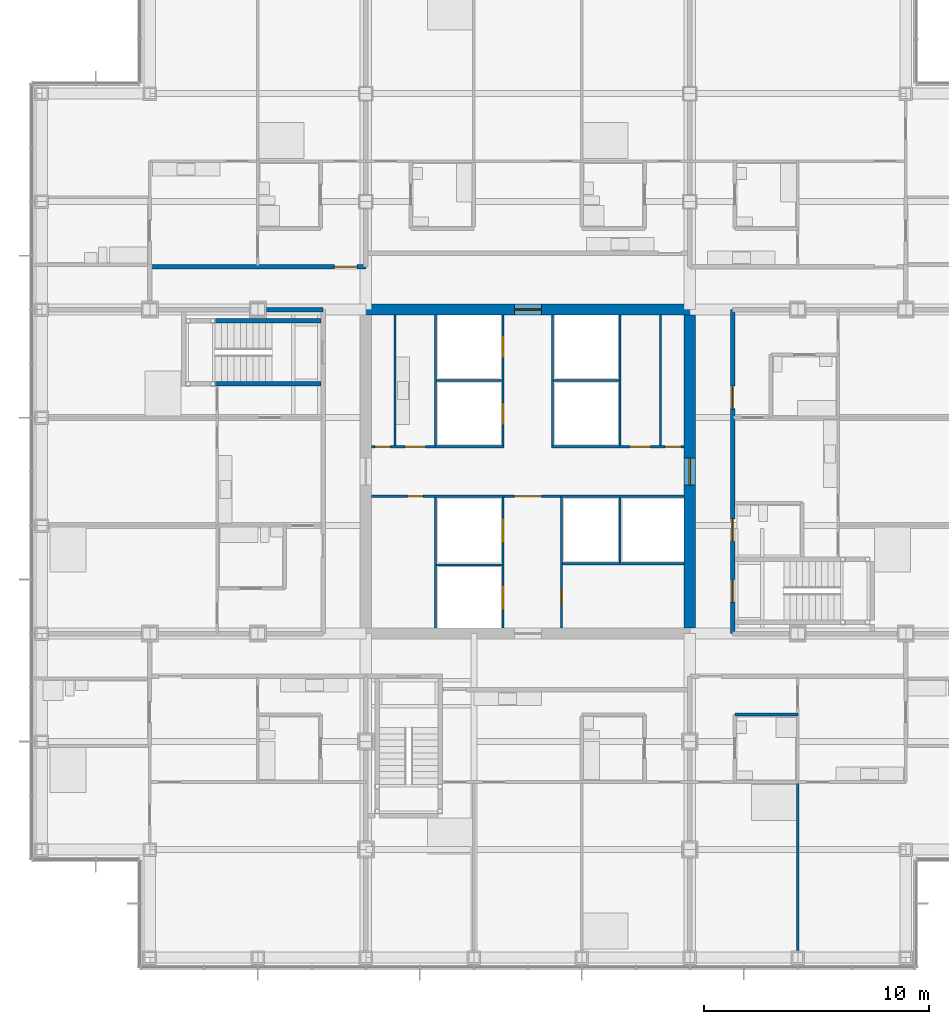
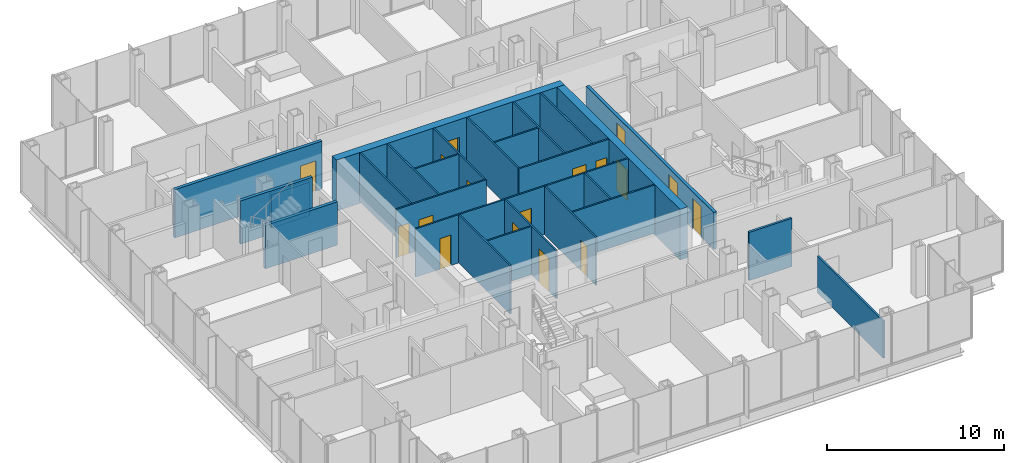
# One storey, part 15 of 21: 28 walls, 17 doors, 17 openings.
"""IFC4 building model written with IfcOpenShell, lengths in metres."""

from ifc_helpers import new_model, si_unit, direction, frame, frame_2d, origin, place, context, subcontext, project, spatial, rectangle, extrude, material, layer, layer_set, type_object, element, fill, save


model = new_model("IFC4")

# Units and contexts
model_context = context("Model", 3, precision=1e-05, world=origin(), true_north=direction((0.0, 1.0)))
body_context = subcontext(model_context, "Body", "Model", "MODEL_VIEW")
ifc_project = project(units=[si_unit("LENGTHUNIT", "METRE"), si_unit("AREAUNIT", "SQUARE_METRE"), si_unit("VOLUMEUNIT", "CUBIC_METRE"), si_unit("PLANEANGLEUNIT", "RADIAN"), si_unit("MASSUNIT", "GRAM", prefix="KILO")], contexts=[model_context])

# Site, building, storey
site_placement = place(None, origin())
site = spatial("IfcSite", under=ifc_project, at=site_placement, CompositionType="ELEMENT")
building_placement = place(site_placement, origin())
building = spatial("IfcBuilding", under=site, at=building_placement, Name="Kvirike Care Tower", CompositionType="ELEMENT")
storey_placement = place(building_placement, frame((0.0, 0.0, 65.5)))
storey = spatial("IfcBuildingStorey", under=building, at=storey_placement, Name="L17", CompositionType="ELEMENT", Elevation=65.5)

# Wall
ifc_material_1 = material(Name="Moisture-resistant board partition", Category="gypsum")
ifc_layer_1 = layer(ifc_material_1, 0.14990234375)
ifc_layer_set_1 = layer_set([ifc_layer_1], Name="BATHROOM WALL 150")
wall_type_1 = type_object("IfcWallType", Name="BATHROOM WALL 150", PredefinedType="PARTITIONING", material=ifc_layer_set_1)
wall_1_placement = place(storey_placement, frame((30.800048828125, 25.199951171875, 0.0), z_axis=(0.0, 0.0, 1.0), x_axis=(1.0, 0.0, 0.0)))
element("IfcWall", 1, at=wall_1_placement, inside=storey, type_object=wall_type_1, Name="Bathroom Wall 150 L17", PredefinedType="PARTITIONING", context=body_context, shape_type="SweptSolid", body=[
    extrude(rectangle(XDim=2.800048828125, YDim=0.14990234375, at=frame_2d((1.39990234375, 0.0))), origin(), (0.0, 0.0, 1.0), 3.330078125),
])

# Wall, opening, door
ifc_material_2 = material(Name="Concrete C60/75", Category="concrete")
ifc_layer_2 = layer(ifc_material_2, 0.5)
ifc_layer_set_2 = layer_set([ifc_layer_2], Name="CORE WALL 500 C60-75")
wall_type_2 = type_object("IfcWallType", Name="CORE WALL 500 C60-75", PredefinedType="SHEAR", material=ifc_layer_set_2)
wall_2_placement = place(storey_placement, frame((29.050048828125, 43.199951171875, -0.169921875), z_axis=(0.0, 0.0, 1.0), x_axis=(-1.0, 0.0, 0.0)))
wall_2 = element("IfcWall", 2, at=wall_2_placement, inside=storey, type_object=wall_type_2, Name="Core wall N L17", PredefinedType="SHEAR", context=body_context, shape_type="SweptSolid", body=[
    extrude(rectangle(XDim=14.900146484375, YDim=0.5, at=frame_2d((7.4501953125, 0.0))), origin(), (0.0, 0.0, 1.0), 3.5),
])
opening_1_placement = place(wall_2_placement, frame((6.85009765625, 0.0, 0.169921875)))
opening_1 = element("IfcOpeningElement", 3, at=opening_1_placement, cuts=wall_2, Name="Opening 17-067", PredefinedType="OPENING", context=body_context, shape_type="SweptSolid", body=[
    extrude(rectangle(XDim=1.199951171875, YDim=2.10009765625, at=frame_2d((0.60009765625, 1.050048828125))), frame((0.0, 0.260498046875, 0.0), z_axis=(0.0, -1.0, 0.0), x_axis=(1.0, 0.0, 0.0)), (0.0, 0.0, 1.0), 0.52099609375),
])
ifc_material_3 = material(Name="Timber door set", Category="wood")
door_type_1 = type_object("IfcDoorType", Name="CORE DOOR 1200", OperationType="SINGLE_SWING_LEFT", PredefinedType="DOOR", material=ifc_material_3)
door_1_placement = place(opening_1_placement, origin())
door_1 = element("IfcDoor", 4, at=door_1_placement, inside=storey, type_object=door_type_1, Name="Core door N L17", OperationType="SINGLE_SWING_LEFT", OverallHeight=2.10009765625, OverallWidth=1.199951171875, PredefinedType="DOOR", context=body_context, shape_type="SweptSolid", body=[
    extrude(rectangle(XDim=1.199951171875, YDim=2.10009765625, at=frame_2d((0.60009765625, 1.050048828125))), frame((0.0, 0.02685546875, 0.0), z_axis=(0.0, -1.0, 0.0), x_axis=(1.0, 0.0, 0.0)), (0.0, 0.0, 1.0), 0.053955078125),
])
fill(opening_1, door_1)

wall_3_placement = place(storey_placement, frame((28.800048828125, 29.050048828125, -0.169921875), z_axis=(0.0, 0.0, 1.0), x_axis=(0.0, 1.0, 0.0)))
wall_3 = element("IfcWall", 5, at=wall_3_placement, inside=storey, type_object=wall_type_2, Name="Core wall E L17", PredefinedType="SHEAR", context=body_context, shape_type="SweptSolid", body=[
    extrude(rectangle(XDim=13.89990234375, YDim=0.5, at=frame_2d((6.949951171875, 0.0))), origin(), (0.0, 0.0, 1.0), 3.5),
])
opening_2_placement = place(wall_3_placement, frame((6.35009765625, 0.0, 0.169921875)))
opening_2 = element("IfcOpeningElement", 6, at=opening_2_placement, cuts=wall_3, Name="Opening 17-066", PredefinedType="OPENING", context=body_context, shape_type="SweptSolid", body=[
    extrude(rectangle(XDim=1.199951171875, YDim=2.10009765625, at=frame_2d((0.60009765625, 1.050048828125))), frame((0.0, 0.260498046875, 0.0), z_axis=(0.0, -1.0, 0.0), x_axis=(1.0, 0.0, 0.0)), (0.0, 0.0, 1.0), 0.52099609375),
])
door_2_placement = place(opening_2_placement, origin())
door_2 = element("IfcDoor", 7, at=door_2_placement, inside=storey, type_object=door_type_1, Name="Core door E L17", OperationType="SINGLE_SWING_LEFT", OverallHeight=2.10009765625, OverallWidth=1.199951171875, PredefinedType="DOOR", context=body_context, shape_type="SweptSolid", body=[
    extrude(rectangle(XDim=1.199951171875, YDim=2.10009765625, at=frame_2d((0.60009765625, 1.050048828125))), frame((0.0, 0.02685546875, 0.0), z_axis=(0.0, -1.0, 0.0), x_axis=(1.0, 0.0, 0.0)), (0.0, 0.0, 1.0), 0.053955078125),
])
fill(opening_2, door_2)

ifc_material_4 = material(Name="Plasterboard corridor wall", Category="gypsum")
ifc_layer_3 = layer(ifc_material_4, 0.199951171875)
ifc_layer_set_3 = layer_set([ifc_layer_3], Name="CORRIDOR WALL 200")
wall_type_3 = type_object("IfcWallType", Name="CORRIDOR WALL 200", PredefinedType="PARTITIONING", material=ifc_layer_set_3)
wall_4_placement = place(storey_placement, frame((14.39990234375, 45.10009765625, 0.0), z_axis=(0.0, 0.0, 1.0), x_axis=(-1.0, 0.0, 0.0)))
wall_4 = element("IfcWall", 8, at=wall_4_placement, inside=storey, type_object=wall_type_3, Name="Corridor Wall 200 L17", PredefinedType="PARTITIONING", context=body_context, shape_type="SweptSolid", body=[
    extrude(rectangle(XDim=9.599853515625, YDim=0.199951171875, at=frame_2d((4.7998046875, 0.0))), origin(), (0.0, 0.0, 1.0), 3.330078125),
])
opening_3_placement = place(wall_4_placement, frame((0.39990234375, 0.0, 0.0)))
opening_3 = element("IfcOpeningElement", 9, at=opening_3_placement, cuts=wall_4, Name="Opening 17-020", PredefinedType="OPENING", context=body_context, shape_type="SweptSolid", body=[
    extrude(rectangle(XDim=1.0, YDim=2.10009765625, at=frame_2d((0.5, 1.050048828125))), frame((0.0, 0.110595703125, 0.0), z_axis=(0.0, -1.0, 0.0), x_axis=(1.0, 0.0, 0.0)), (0.0, 0.0, 1.0), 0.220947265625),
])
ifc_material_5 = material(Name="Timber door set", Category="wood")
door_type_2 = type_object("IfcDoorType", Name="FLAT ENTRANCE DOOR 1000", OperationType="SINGLE_SWING_LEFT", PredefinedType="DOOR", material=ifc_material_5)
door_3_placement = place(opening_3_placement, frame((1.0, 0.0, 0.0), z_axis=(0.0, 0.0, 1.0), x_axis=(-1.0, 0.0, 0.0)))
door_3 = element("IfcDoor", 10, at=door_3_placement, inside=storey, type_object=door_type_2, Name="One-bedroom apartment entrance", OperationType="SINGLE_SWING_LEFT", OverallHeight=2.10009765625, OverallWidth=1.0, PredefinedType="DOOR", context=body_context, shape_type="SweptSolid", body=[
    extrude(rectangle(XDim=1.0, YDim=2.10009765625, at=frame_2d((0.5, 1.050048828125))), frame((0.0, 0.02685546875, 0.0), z_axis=(0.0, -1.0, 0.0), x_axis=(1.0, 0.0, 0.0)), (0.0, 0.0, 1.0), 0.053955078125),
])
fill(opening_3, door_3)

# Wall, openings, doors
wall_5_placement = place(storey_placement, frame((30.699951171875, 28.800048828125, 0.0), z_axis=(0.0, 0.0, 1.0), x_axis=(0.0, 1.0, 0.0)))
wall_5 = element("IfcWall", 11, at=wall_5_placement, inside=storey, type_object=wall_type_3, Name="Corridor Wall 200 L17", PredefinedType="PARTITIONING", context=body_context, shape_type="SweptSolid", body=[
    extrude(rectangle(XDim=14.39990234375, YDim=0.199951171875, at=frame_2d((7.199951171875, 0.0))), origin(), (0.0, 0.0, 1.0), 2.550048828125),
])
opening_4_placement = place(wall_5_placement, frame((1.39990234375, 0.0, 0.0)))
opening_4 = element("IfcOpeningElement", 12, at=opening_4_placement, cuts=wall_5, Name="Opening 17-044", PredefinedType="OPENING", context=body_context, shape_type="SweptSolid", body=[
    extrude(rectangle(XDim=1.0, YDim=2.10009765625, at=frame_2d((0.5, 1.050048828125))), frame((0.0, 0.110595703125, 0.0), z_axis=(0.0, -1.0, 0.0), x_axis=(1.0, 0.0, 0.0)), (0.0, 0.0, 1.0), 0.220947265625),
])
opening_5_placement = place(wall_5_placement, frame((4.10009765625, 0.0, 0.0)))
opening_5 = element("IfcOpeningElement", 13, at=opening_5_placement, cuts=wall_5, Name="Opening 17-045", PredefinedType="OPENING", context=body_context, shape_type="SweptSolid", body=[
    extrude(rectangle(XDim=1.0, YDim=2.10009765625, at=frame_2d((0.5, 1.050048828125))), frame((0.0, 0.110595703125, 0.0), z_axis=(0.0, -1.0, 0.0), x_axis=(1.0, 0.0, 0.0)), (0.0, 0.0, 1.0), 0.220947265625),
])
opening_6_placement = place(wall_5_placement, frame((10.0, 0.0, 0.0)))
opening_6 = element("IfcOpeningElement", 14, at=opening_6_placement, cuts=wall_5, Name="Opening 17-046", PredefinedType="OPENING", context=body_context, shape_type="SweptSolid", body=[
    extrude(rectangle(XDim=1.0, YDim=2.10009765625, at=frame_2d((0.5, 1.050048828125))), frame((0.0, 0.110595703125, 0.0), z_axis=(0.0, -1.0, 0.0), x_axis=(1.0, 0.0, 0.0)), (0.0, 0.0, 1.0), 0.220947265625),
])
door_4_placement = place(opening_6_placement, frame((1.0, 0.0, 0.0), z_axis=(0.0, 0.0, 1.0), x_axis=(-1.0, 0.0, 0.0)))
door_4 = element("IfcDoor", 15, at=door_4_placement, inside=storey, type_object=door_type_2, Name="Two-bedroom apartment entrance", OperationType="SINGLE_SWING_LEFT", OverallHeight=2.10009765625, OverallWidth=1.0, PredefinedType="DOOR", context=body_context, shape_type="SweptSolid", body=[
    extrude(rectangle(XDim=1.0, YDim=2.10009765625, at=frame_2d((0.5, 1.050048828125))), frame((0.0, 0.02685546875, 0.0), z_axis=(0.0, -1.0, 0.0), x_axis=(1.0, 0.0, 0.0)), (0.0, 0.0, 1.0), 0.053955078125),
])
fill(opening_6, door_4)
ifc_material_6 = material(Name="Timber door set", Category="wood")
door_type_3 = type_object("IfcDoorType", Name="STAIR DOOR 1000", OperationType="SINGLE_SWING_LEFT", PredefinedType="DOOR", material=ifc_material_6)
door_5_placement = place(opening_4_placement, frame((1.0, 0.0, 0.0), z_axis=(0.0, 0.0, 1.0), x_axis=(-1.0, 0.0, 0.0)))
door_5 = element("IfcDoor", 16, at=door_5_placement, inside=storey, type_object=door_type_3, Name="Stair 2 door", OperationType="SINGLE_SWING_LEFT", OverallHeight=2.10009765625, OverallWidth=1.0, PredefinedType="DOOR", context=body_context, shape_type="SweptSolid", body=[
    extrude(rectangle(XDim=1.0, YDim=2.10009765625, at=frame_2d((0.5, 1.050048828125))), frame((0.0, 0.031982421875, 0.0), z_axis=(0.0, -1.0, 0.0), x_axis=(1.0, 0.0, 0.0)), (0.0, 0.0, 1.0), 0.06396484375),
])
fill(opening_4, door_5)
ifc_material_7 = material(Name="Timber door set", Category="wood")
door_type_4 = type_object("IfcDoorType", Name="WC DOOR 1000", OperationType="SINGLE_SWING_LEFT", PredefinedType="DOOR", material=ifc_material_7)
door_6_placement = place(opening_5_placement, frame((1.0, 0.0, 0.0), z_axis=(0.0, 0.0, 1.0), x_axis=(-1.0, 0.0, 0.0)))
door_6 = element("IfcDoor", 17, at=door_6_placement, inside=storey, type_object=door_type_4, Name="Accessible WC door", OperationType="SINGLE_SWING_LEFT", OverallHeight=2.10009765625, OverallWidth=1.0, PredefinedType="DOOR", context=body_context, shape_type="SweptSolid", body=[
    extrude(rectangle(XDim=1.0, YDim=2.10009765625, at=frame_2d((0.5, 1.050048828125))), frame((0.0, 0.02685546875, 0.0), z_axis=(0.0, -1.0, 0.0), x_axis=(1.0, 0.0, 0.0)), (0.0, 0.0, 1.0), 0.053955078125),
])
fill(opening_5, door_6)

# Walls
ifc_material_8 = material(Name="Plasterboard partition", Category="gypsum")
ifc_layer_4 = layer(ifc_material_8, 0.1201171875)
ifc_layer_set_4 = layer_set([ifc_layer_4], Name="PARTITION 120")
wall_type_4 = type_object("IfcWallType", Name="PARTITION 120", PredefinedType="PARTITIONING", material=ifc_layer_set_4)
wall_6_placement = place(storey_placement, frame((33.60009765625, 14.719970703125, 0.0), z_axis=(0.0, 0.0, 1.0), x_axis=(0.0, 1.0, 0.0)))
element("IfcWall", 18, at=wall_6_placement, inside=storey, type_object=wall_type_4, Name="Partition 120 L17", PredefinedType="PARTITIONING", context=body_context, shape_type="SweptSolid", body=[
    extrude(rectangle(XDim=7.47998046875, YDim=0.1201171875, at=frame_2d((3.739990234375, 0.0))), origin(), (0.0, 0.0, 1.0), 2.550048828125),
])
ifc_material_9 = material(Name="Plasterboard party wall", Category="gypsum")
ifc_layer_5 = layer(ifc_material_9, 0.199951171875)
ifc_layer_set_5 = layer_set([ifc_layer_5], Name="PARTY WALL 200")
wall_type_5 = type_object("IfcWallType", Name="PARTY WALL 200", PredefinedType="PARTITIONING", material=ifc_layer_set_5)
wall_7_placement = place(storey_placement, frame((12.5, 43.199951171875, 0.0), z_axis=(0.0, 0.0, 1.0), x_axis=(-1.0, 0.0, 0.0)))
element("IfcWall", 19, at=wall_7_placement, inside=storey, type_object=wall_type_5, Name="Party Wall 200 L17", PredefinedType="PARTITIONING", context=body_context, shape_type="SweptSolid", body=[
    extrude(rectangle(XDim=2.5048828125, YDim=0.199951171875, at=frame_2d((1.25244140625, 0.0))), origin(), (0.0, 0.0, 1.0), 2.320068359375),
])
ifc_material_10 = material(Name="Gypsum shaft wall system", Category="gypsum")
ifc_layer_6 = layer(ifc_material_10, 0.10009765625)
ifc_layer_set_6 = layer_set([ifc_layer_6], Name="SHAFT WALL 100")
wall_type_6 = type_object("IfcWallType", Name="SHAFT WALL 100", PredefinedType="SOLIDWALL", material=ifc_layer_set_6)
for number, where, z_axis, x_axis, name in (
    (20, (15.699951171875, 37.14990234375, 0.0), (0.0, 0.0, 1.0), (0.0, 1.0, 0.0), "Shaft Wall 100 L17"),
    (21, (27.5, 37.14990234375, 0.0), (0.0, 0.0, 1.0), (0.0, 1.0, 0.0), "Shaft Wall 100 L17"),
):
    element("IfcWall", number, at=place(storey_placement, frame(where, z_axis=z_axis, x_axis=x_axis)), inside=storey, type_object=wall_type_6, Name=name, PredefinedType="SOLIDWALL", context=body_context, shape_type="SweptSolid", body=[
        extrude(rectangle(XDim=5.800048828125, YDim=0.10009765625, at=frame_2d((2.89990234375, 0.0))), origin(), (0.0, 0.0, 1.0), 3.330078125),
    ])

# Wall, openings, doors
wall_8_placement = place(storey_placement, frame((20.5, 29.050048828125, 0.0), z_axis=(0.0, 0.0, 1.0), x_axis=(0.0, 1.0, 0.0)))
wall_8 = element("IfcWall", 22, at=wall_8_placement, inside=storey, type_object=wall_type_6, Name="Shaft Wall 100 L17", PredefinedType="SOLIDWALL", context=body_context, shape_type="SweptSolid", body=[
    extrude(rectangle(XDim=5.800048828125, YDim=0.10009765625, at=frame_2d((2.89990234375, 0.0))), origin(), (0.0, 0.0, 1.0), 3.330078125),
])
opening_7_placement = place(wall_8_placement, frame((0.800048828125, 0.0, 0.0)))
opening_7 = element("IfcOpeningElement", 23, at=opening_7_placement, cuts=wall_8, Name="Opening 17-053", PredefinedType="OPENING", context=body_context, shape_type="SweptSolid", body=[
    extrude(rectangle(XDim=1.10009765625, YDim=2.300048828125, at=frame_2d((0.550048828125, 1.14990234375))), frame((0.0, 0.060546875, 0.0), z_axis=(0.0, -1.0, 0.0), x_axis=(1.0, 0.0, 0.0)), (0.0, 0.0, 1.0), 0.12109375),
])
opening_8_placement = place(wall_8_placement, frame((3.77490234375, 0.0, 0.0)))
opening_8 = element("IfcOpeningElement", 24, at=opening_8_placement, cuts=wall_8, Name="Opening 17-054", PredefinedType="OPENING", context=body_context, shape_type="SweptSolid", body=[
    extrude(rectangle(XDim=1.10009765625, YDim=2.300048828125, at=frame_2d((0.550048828125, 1.14990234375))), frame((0.0, 0.060546875, 0.0), z_axis=(0.0, -1.0, 0.0), x_axis=(1.0, 0.0, 0.0)), (0.0, 0.0, 1.0), 0.12109375),
])
ifc_material_11 = material(Name="Aluminium door frame", Category="aluminium")
door_type_5 = type_object("IfcDoorType", Name="FIRE-FIGHTING LIFT LANDING DOOR 1100", OperationType="SLIDING_TO_LEFT", PredefinedType="DOOR", material=ifc_material_11)
door_7_placement = place(opening_7_placement, origin())
door_7 = element("IfcDoor", 25, at=door_7_placement, inside=storey, type_object=door_type_5, Name="Lift FF1 landing door", OperationType="SLIDING_TO_LEFT", OverallHeight=2.300048828125, OverallWidth=1.10009765625, PredefinedType="DOOR", context=body_context, shape_type="SweptSolid", body=[
    extrude(rectangle(XDim=1.10009765625, YDim=2.300048828125, at=frame_2d((0.550048828125, 1.14990234375))), frame((0.0, 0.0498046875, 0.0), z_axis=(0.0, -1.0, 0.0), x_axis=(1.0, 0.0, 0.0)), (0.0, 0.0, 1.0), 0.099609375),
])
fill(opening_7, door_7)
door_8_placement = place(opening_8_placement, origin())
door_8 = element("IfcDoor", 26, at=door_8_placement, inside=storey, type_object=door_type_5, Name="Lift FF2 landing door", OperationType="SLIDING_TO_LEFT", OverallHeight=2.300048828125, OverallWidth=1.10009765625, PredefinedType="DOOR", context=body_context, shape_type="SweptSolid", body=[
    extrude(rectangle(XDim=1.10009765625, YDim=2.300048828125, at=frame_2d((0.550048828125, 1.14990234375))), frame((0.0, 0.0498046875, 0.0), z_axis=(0.0, -1.0, 0.0), x_axis=(1.0, 0.0, 0.0)), (0.0, 0.0, 1.0), 0.099609375),
])
fill(opening_8, door_8)

wall_9_placement = place(storey_placement, frame((20.5, 37.14990234375, 0.0), z_axis=(0.0, 0.0, 1.0), x_axis=(0.0, 1.0, 0.0)))
wall_9 = element("IfcWall", 27, at=wall_9_placement, inside=storey, type_object=wall_type_6, Name="Shaft Wall 100 L17", PredefinedType="SOLIDWALL", context=body_context, shape_type="SweptSolid", body=[
    extrude(rectangle(XDim=5.800048828125, YDim=0.10009765625, at=frame_2d((2.89990234375, 0.0))), origin(), (0.0, 0.0, 1.0), 3.330078125),
])
opening_9_placement = place(wall_9_placement, frame((0.925048828125, 0.0, 0.0)))
opening_9 = element("IfcOpeningElement", 28, at=opening_9_placement, cuts=wall_9, Name="Opening 17-055", PredefinedType="OPENING", context=body_context, shape_type="SweptSolid", body=[
    extrude(rectangle(XDim=1.0, YDim=2.10009765625, at=frame_2d((0.5, 1.050048828125))), frame((0.0, 0.060546875, 0.0), z_axis=(0.0, -1.0, 0.0), x_axis=(1.0, 0.0, 0.0)), (0.0, 0.0, 1.0), 0.12109375),
])
opening_10_placement = place(wall_9_placement, frame((3.89990234375, 0.0, 0.0)))
opening_10 = element("IfcOpeningElement", 29, at=opening_10_placement, cuts=wall_9, Name="Opening 17-056", PredefinedType="OPENING", context=body_context, shape_type="SweptSolid", body=[
    extrude(rectangle(XDim=1.0, YDim=2.10009765625, at=frame_2d((0.5, 1.050048828125))), frame((0.0, 0.060546875, 0.0), z_axis=(0.0, -1.0, 0.0), x_axis=(1.0, 0.0, 0.0)), (0.0, 0.0, 1.0), 0.12109375),
])
ifc_material_12 = material(Name="Aluminium door frame", Category="aluminium")
door_type_6 = type_object("IfcDoorType", Name="LIFT LANDING DOOR 1000", OperationType="SLIDING_TO_LEFT", PredefinedType="DOOR", material=ifc_material_12)
door_9_placement = place(opening_9_placement, origin())
door_9 = element("IfcDoor", 30, at=door_9_placement, inside=storey, type_object=door_type_6, Name="Lift P1 landing door", OperationType="SLIDING_TO_LEFT", OverallHeight=2.10009765625, OverallWidth=1.0, PredefinedType="DOOR", context=body_context, shape_type="SweptSolid", body=[
    extrude(rectangle(XDim=1.0, YDim=2.10009765625, at=frame_2d((0.5, 1.050048828125))), frame((0.0, 0.0498046875, 0.0), z_axis=(0.0, -1.0, 0.0), x_axis=(1.0, 0.0, 0.0)), (0.0, 0.0, 1.0), 0.099609375),
])
fill(opening_9, door_9)
door_10_placement = place(opening_10_placement, origin())
door_10 = element("IfcDoor", 31, at=door_10_placement, inside=storey, type_object=door_type_6, Name="Lift P2 landing door", OperationType="SLIDING_TO_LEFT", OverallHeight=2.10009765625, OverallWidth=1.0, PredefinedType="DOOR", context=body_context, shape_type="SweptSolid", body=[
    extrude(rectangle(XDim=1.0, YDim=2.10009765625, at=frame_2d((0.5, 1.050048828125))), frame((0.0, 0.0498046875, 0.0), z_axis=(0.0, -1.0, 0.0), x_axis=(1.0, 0.0, 0.0)), (0.0, 0.0, 1.0), 0.099609375),
])
fill(opening_10, door_10)

# Wall
wall_10_placement = place(storey_placement, frame((22.699951171875, 37.14990234375, 0.0), z_axis=(0.0, 0.0, 1.0), x_axis=(0.0, 1.0, 0.0)))
element("IfcWall", 32, at=wall_10_placement, inside=storey, type_object=wall_type_6, Name="Shaft Wall 100 L17", PredefinedType="SOLIDWALL", context=body_context, shape_type="SweptSolid", body=[
    extrude(rectangle(XDim=5.800048828125, YDim=0.10009765625, at=frame_2d((2.89990234375, 0.0))), origin(), (0.0, 0.0, 1.0), 3.330078125),
])

# Wall, opening, door
wall_11_placement = place(storey_placement, frame((23.10009765625, 29.050048828125, 0.0), z_axis=(0.0, 0.0, 1.0), x_axis=(0.0, 1.0, 0.0)))
wall_11 = element("IfcWall", 33, at=wall_11_placement, inside=storey, type_object=wall_type_6, Name="Shaft Wall 100 L17", PredefinedType="SOLIDWALL", context=body_context, shape_type="SweptSolid", body=[
    extrude(rectangle(XDim=5.800048828125, YDim=0.10009765625, at=frame_2d((2.89990234375, 0.0))), origin(), (0.0, 0.0, 1.0), 3.330078125),
])
opening_11_placement = place(wall_11_placement, frame((1.0, 0.0, 0.0)))
opening_11 = element("IfcOpeningElement", 34, at=opening_11_placement, cuts=wall_11, Name="Opening 17-057", PredefinedType="OPENING", context=body_context, shape_type="SweptSolid", body=[
    extrude(rectangle(XDim=0.699951171875, YDim=2.10009765625, at=frame_2d((0.35009765625, 1.050048828125))), frame((0.0, 0.060546875, 0.0), z_axis=(0.0, -1.0, 0.0), x_axis=(1.0, 0.0, 0.0)), (0.0, 0.0, 1.0), 0.12109375),
])
ifc_material_13 = material(Name="Timber door set", Category="wood")
door_type_7 = type_object("IfcDoorType", Name="RISER DOOR 700", OperationType="SINGLE_SWING_LEFT", PredefinedType="DOOR", material=ifc_material_13)
door_11_placement = place(opening_11_placement, origin())
door_11 = element("IfcDoor", 35, at=door_11_placement, inside=storey, type_object=door_type_7, Name="Riser door", OperationType="SINGLE_SWING_RIGHT", OverallHeight=2.10009765625, OverallWidth=0.699951171875, PredefinedType="DOOR", context=body_context, shape_type="SweptSolid", body=[
    extrude(rectangle(XDim=0.699951171875, YDim=2.10009765625, at=frame_2d((0.35009765625, 1.050048828125))), frame((0.0, 0.02685546875, 0.0), z_axis=(0.0, -1.0, 0.0), x_axis=(1.0, 0.0, 0.0)), (0.0, 0.0, 1.0), 0.053955078125),
])
fill(opening_11, door_11)

wall_12_placement = place(storey_placement, frame((14.64990234375, 34.89990234375, 0.0), z_axis=(0.0, 0.0, 1.0), x_axis=(1.0, 0.0, 0.0)))
wall_12 = element("IfcWall", 36, at=wall_12_placement, inside=storey, type_object=wall_type_6, Name="Shaft Wall 100 L17", PredefinedType="SOLIDWALL", context=body_context, shape_type="SweptSolid", body=[
    extrude(rectangle(XDim=5.900146484375, YDim=0.10009765625, at=frame_2d((2.9501953125, 0.0))), origin(), (0.0, 0.0, 1.0), 3.330078125),
])
opening_12_placement = place(wall_12_placement, frame((1.60009765625, 0.0, 0.0)))
opening_12 = element("IfcOpeningElement", 37, at=opening_12_placement, cuts=wall_12, Name="Opening 17-058", PredefinedType="OPENING", context=body_context, shape_type="SweptSolid", body=[
    extrude(rectangle(XDim=0.699951171875, YDim=2.10009765625, at=frame_2d((0.35009765625, 1.050048828125))), frame((0.0, 0.060546875, 0.0), z_axis=(0.0, -1.0, 0.0), x_axis=(1.0, 0.0, 0.0)), (0.0, 0.0, 1.0), 0.12109375),
])
door_12_placement = place(opening_12_placement, frame((0.699951171875, 0.0, 0.0), z_axis=(0.0, 0.0, 1.0), x_axis=(-1.0, 0.0, 0.0)))
door_12 = element("IfcDoor", 38, at=door_12_placement, inside=storey, type_object=door_type_7, Name="Riser door", OperationType="SINGLE_SWING_RIGHT", OverallHeight=2.10009765625, OverallWidth=0.699951171875, PredefinedType="DOOR", context=body_context, shape_type="SweptSolid", body=[
    extrude(rectangle(XDim=0.699951171875, YDim=2.10009765625, at=frame_2d((0.35009765625, 1.050048828125))), frame((0.0, 0.02685546875, 0.0), z_axis=(0.0, -1.0, 0.0), x_axis=(1.0, 0.0, 0.0)), (0.0, 0.0, 1.0), 0.053955078125),
])
fill(opening_12, door_12)

# Wall
wall_13_placement = place(storey_placement, frame((23.050048828125, 34.89990234375, 0.0), z_axis=(0.0, 0.0, 1.0), x_axis=(1.0, 0.0, 0.0)))
element("IfcWall", 39, at=wall_13_placement, inside=storey, type_object=wall_type_6, Name="Shaft Wall 100 L17", PredefinedType="SOLIDWALL", context=body_context, shape_type="SweptSolid", body=[
    extrude(rectangle(XDim=5.5, YDim=0.10009765625, at=frame_2d((2.75, 0.0))), origin(), (0.0, 0.0, 1.0), 3.330078125),
])

# Wall, openings, doors
wall_14_placement = place(storey_placement, frame((14.64990234375, 37.10009765625, 0.0), z_axis=(0.0, 0.0, 1.0), x_axis=(1.0, 0.0, 0.0)))
wall_14 = element("IfcWall", 40, at=wall_14_placement, inside=storey, type_object=wall_type_6, Name="Shaft Wall 100 L17", PredefinedType="SOLIDWALL", context=body_context, shape_type="SweptSolid", body=[
    extrude(rectangle(XDim=5.900146484375, YDim=0.10009765625, at=frame_2d((2.9501953125, 0.0))), origin(), (0.0, 0.0, 1.0), 3.330078125),
])
opening_13_placement = place(wall_14_placement, frame((0.14990234375, 0.0, 0.0)))
opening_13 = element("IfcOpeningElement", 41, at=opening_13_placement, cuts=wall_14, Name="Opening 17-059", PredefinedType="OPENING", context=body_context, shape_type="SweptSolid", body=[
    extrude(rectangle(XDim=0.699951171875, YDim=2.10009765625, at=frame_2d((0.35009765625, 1.050048828125))), frame((0.0, 0.060546875, 0.0), z_axis=(0.0, -1.0, 0.0), x_axis=(1.0, 0.0, 0.0)), (0.0, 0.0, 1.0), 0.12109375),
])
opening_14_placement = place(wall_14_placement, frame((1.5, 0.0, 0.0)))
opening_14 = element("IfcOpeningElement", 42, at=opening_14_placement, cuts=wall_14, Name="Opening 17-060", PredefinedType="OPENING", context=body_context, shape_type="SweptSolid", body=[
    extrude(rectangle(XDim=0.89990234375, YDim=2.10009765625, at=frame_2d((0.449951171875, 1.050048828125))), frame((0.0, 0.060546875, 0.0), z_axis=(0.0, -1.0, 0.0), x_axis=(1.0, 0.0, 0.0)), (0.0, 0.0, 1.0), 0.12109375),
])
door_13_placement = place(opening_13_placement, origin())
door_13 = element("IfcDoor", 43, at=door_13_placement, inside=storey, type_object=door_type_7, Name="Riser door", OperationType="SINGLE_SWING_RIGHT", OverallHeight=2.10009765625, OverallWidth=0.699951171875, PredefinedType="DOOR", context=body_context, shape_type="SweptSolid", body=[
    extrude(rectangle(XDim=0.699951171875, YDim=2.10009765625, at=frame_2d((0.35009765625, 1.050048828125))), frame((0.0, 0.02685546875, 0.0), z_axis=(0.0, -1.0, 0.0), x_axis=(1.0, 0.0, 0.0)), (0.0, 0.0, 1.0), 0.053955078125),
])
fill(opening_13, door_13)
ifc_material_14 = material(Name="Timber door set", Category="wood")
door_type_8 = type_object("IfcDoorType", Name="STORE DOOR 900", OperationType="SINGLE_SWING_LEFT", PredefinedType="DOOR", material=ifc_material_14)
door_14_placement = place(opening_14_placement, origin())
door_14 = element("IfcDoor", 44, at=door_14_placement, inside=storey, type_object=door_type_8, Name="Resident pantry door", OperationType="SINGLE_SWING_LEFT", OverallHeight=2.10009765625, OverallWidth=0.89990234375, PredefinedType="DOOR", context=body_context, shape_type="SweptSolid", body=[
    extrude(rectangle(XDim=0.89990234375, YDim=2.10009765625, at=frame_2d((0.449951171875, 1.050048828125))), frame((0.0, 0.02685546875, 0.0), z_axis=(0.0, -1.0, 0.0), x_axis=(1.0, 0.0, 0.0)), (0.0, 0.0, 1.0), 0.053955078125),
])
fill(opening_14, door_14)

wall_15_placement = place(storey_placement, frame((22.64990234375, 37.10009765625, 0.0), z_axis=(0.0, 0.0, 1.0), x_axis=(1.0, 0.0, 0.0)))
wall_15 = element("IfcWall", 45, at=wall_15_placement, inside=storey, type_object=wall_type_6, Name="Shaft Wall 100 L17", PredefinedType="SOLIDWALL", context=body_context, shape_type="SweptSolid", body=[
    extrude(rectangle(XDim=5.900146484375, YDim=0.10009765625, at=frame_2d((2.9501953125, 0.0))), origin(), (0.0, 0.0, 1.0), 3.330078125),
])
opening_15_placement = place(wall_15_placement, frame((3.5, 0.0, 0.0)))
opening_15 = element("IfcOpeningElement", 46, at=opening_15_placement, cuts=wall_15, Name="Opening 17-061", PredefinedType="OPENING", context=body_context, shape_type="SweptSolid", body=[
    extrude(rectangle(XDim=0.89990234375, YDim=2.10009765625, at=frame_2d((0.449951171875, 1.050048828125))), frame((0.0, 0.060546875, 0.0), z_axis=(0.0, -1.0, 0.0), x_axis=(1.0, 0.0, 0.0)), (0.0, 0.0, 1.0), 0.12109375),
])
opening_16_placement = place(wall_15_placement, frame((5.050048828125, 0.0, 0.0)))
opening_16 = element("IfcOpeningElement", 47, at=opening_16_placement, cuts=wall_15, Name="Opening 17-062", PredefinedType="OPENING", context=body_context, shape_type="SweptSolid", body=[
    extrude(rectangle(XDim=0.699951171875, YDim=2.10009765625, at=frame_2d((0.35009765625, 1.050048828125))), frame((0.0, 0.060546875, 0.0), z_axis=(0.0, -1.0, 0.0), x_axis=(1.0, 0.0, 0.0)), (0.0, 0.0, 1.0), 0.12109375),
])
door_15_placement = place(opening_16_placement, origin())
door_15 = element("IfcDoor", 48, at=door_15_placement, inside=storey, type_object=door_type_7, Name="Riser door", OperationType="SINGLE_SWING_LEFT", OverallHeight=2.10009765625, OverallWidth=0.699951171875, PredefinedType="DOOR", context=body_context, shape_type="SweptSolid", body=[
    extrude(rectangle(XDim=0.699951171875, YDim=2.10009765625, at=frame_2d((0.35009765625, 1.050048828125))), frame((0.0, 0.02685546875, 0.0), z_axis=(0.0, -1.0, 0.0), x_axis=(1.0, 0.0, 0.0)), (0.0, 0.0, 1.0), 0.053955078125),
])
fill(opening_16, door_15)
door_16_placement = place(opening_15_placement, origin())
door_16 = element("IfcDoor", 49, at=door_16_placement, inside=storey, type_object=door_type_8, Name="Cleaners store door", OperationType="SINGLE_SWING_LEFT", OverallHeight=2.10009765625, OverallWidth=0.89990234375, PredefinedType="DOOR", context=body_context, shape_type="SweptSolid", body=[
    extrude(rectangle(XDim=0.89990234375, YDim=2.10009765625, at=frame_2d((0.449951171875, 1.050048828125))), frame((0.0, 0.02685546875, 0.0), z_axis=(0.0, -1.0, 0.0), x_axis=(1.0, 0.0, 0.0)), (0.0, 0.0, 1.0), 0.053955078125),
])
fill(opening_15, door_16)

# Wall, opening, door
wall_16_placement = place(storey_placement, frame((20.550048828125, 34.89990234375, 0.0), z_axis=(0.0, 0.0, 1.0), x_axis=(1.0, 0.0, 0.0)))
wall_16 = element("IfcWall", 50, at=wall_16_placement, inside=storey, type_object=wall_type_6, Name="Shaft Wall 100 L17", PredefinedType="SOLIDWALL", context=body_context, shape_type="SweptSolid", body=[
    extrude(rectangle(XDim=2.5, YDim=0.10009765625, at=frame_2d((1.25, 0.0))), origin(), (0.0, 0.0, 1.0), 3.330078125),
])
opening_17_placement = place(wall_16_placement, frame((0.449951171875, 0.0, 0.0)))
opening_17 = element("IfcOpeningElement", 51, at=opening_17_placement, cuts=wall_16, Name="Opening 17-063", PredefinedType="OPENING", context=body_context, shape_type="SweptSolid", body=[
    extrude(rectangle(XDim=1.199951171875, YDim=2.10009765625, at=frame_2d((0.60009765625, 1.050048828125))), frame((0.0, 0.060546875, 0.0), z_axis=(0.0, -1.0, 0.0), x_axis=(1.0, 0.0, 0.0)), (0.0, 0.0, 1.0), 0.12109375),
])
door_17_placement = place(opening_17_placement, frame((1.199951171875, 0.0, 0.0), z_axis=(0.0, 0.0, 1.0), x_axis=(-1.0, 0.0, 0.0)))
door_17 = element("IfcDoor", 52, at=door_17_placement, inside=storey, type_object=door_type_1, Name="Fire-fighting lobby door", OperationType="SINGLE_SWING_LEFT", OverallHeight=2.10009765625, OverallWidth=1.199951171875, PredefinedType="DOOR", context=body_context, shape_type="SweptSolid", body=[
    extrude(rectangle(XDim=1.199951171875, YDim=2.10009765625, at=frame_2d((0.60009765625, 1.050048828125))), frame((0.0, 0.02685546875, 0.0), z_axis=(0.0, -1.0, 0.0), x_axis=(1.0, 0.0, 0.0)), (0.0, 0.0, 1.0), 0.053955078125),
])
fill(opening_17, door_17)

# Walls
wall_17_placement = place(storey_placement, frame((17.5, 29.050048828125, 0.0), z_axis=(0.0, 0.0, 1.0), x_axis=(0.0, 1.0, 0.0)))
element("IfcWall", 53, at=wall_17_placement, inside=storey, type_object=wall_type_6, Name="Shaft Wall 100 L17", PredefinedType="SOLIDWALL", context=body_context, shape_type="SweptSolid", body=[
    extrude(rectangle(XDim=5.800048828125, YDim=0.10009765625, at=frame_2d((2.89990234375, 0.0))), origin(), (0.0, 0.0, 1.0), 3.330078125),
])
wall_18_placement = place(storey_placement, frame((17.550048828125, 31.85009765625, 0.0), z_axis=(0.0, 0.0, 1.0), x_axis=(1.0, 0.0, 0.0)))
element("IfcWall", 54, at=wall_18_placement, inside=storey, type_object=wall_type_6, Name="Shaft Wall 100 L17", PredefinedType="SOLIDWALL", context=body_context, shape_type="SweptSolid", body=[
    extrude(rectangle(XDim=2.89990234375, YDim=0.10009765625, at=frame_2d((1.449951171875, 0.0))), origin(), (0.0, 0.0, 1.0), 3.330078125),
])
wall_19_placement = place(storey_placement, frame((17.5, 37.14990234375, 0.0), z_axis=(0.0, 0.0, 1.0), x_axis=(0.0, 1.0, 0.0)))
element("IfcWall", 55, at=wall_19_placement, inside=storey, type_object=wall_type_6, Name="Shaft Wall 100 L17", PredefinedType="SOLIDWALL", context=body_context, shape_type="SweptSolid", body=[
    extrude(rectangle(XDim=5.800048828125, YDim=0.10009765625, at=frame_2d((2.89990234375, 0.0))), origin(), (0.0, 0.0, 1.0), 3.330078125),
])
for number, where, z_axis, x_axis, name in (
    (56, (17.550048828125, 40.050048828125, 0.0), (0.0, 0.0, 1.0), (1.0, 0.0, 0.0), "Shaft Wall 100 L17"),
    (57, (22.75, 40.050048828125, 0.0), (0.0, 0.0, 1.0), (1.0, 0.0, 0.0), "Shaft Wall 100 L17"),
):
    element("IfcWall", number, at=place(storey_placement, frame(where, z_axis=z_axis, x_axis=x_axis)), inside=storey, type_object=wall_type_6, Name=name, PredefinedType="SOLIDWALL", context=body_context, shape_type="SweptSolid", body=[
        extrude(rectangle(XDim=2.89990234375, YDim=0.10009765625, at=frame_2d((1.449951171875, 0.0))), origin(), (0.0, 0.0, 1.0), 3.330078125),
    ])
wall_20_placement = place(storey_placement, frame((25.699951171875, 37.14990234375, 0.0), z_axis=(0.0, 0.0, 1.0), x_axis=(0.0, 1.0, 0.0)))
element("IfcWall", 58, at=wall_20_placement, inside=storey, type_object=wall_type_6, Name="Shaft Wall 100 L17", PredefinedType="SOLIDWALL", context=body_context, shape_type="SweptSolid", body=[
    extrude(rectangle(XDim=5.800048828125, YDim=0.10009765625, at=frame_2d((2.89990234375, 0.0))), origin(), (0.0, 0.0, 1.0), 3.330078125),
])
wall_21_placement = place(storey_placement, frame((25.699951171875, 31.949951171875, 0.0), z_axis=(0.0, 0.0, 1.0), x_axis=(0.0, 1.0, 0.0)))
element("IfcWall", 59, at=wall_21_placement, inside=storey, type_object=wall_type_6, Name="Shaft Wall 100 L17", PredefinedType="SOLIDWALL", context=body_context, shape_type="SweptSolid", body=[
    extrude(rectangle(XDim=2.900146484375, YDim=0.10009765625, at=frame_2d((1.4501953125, 0.0))), origin(), (0.0, 0.0, 1.0), 3.330078125),
])
wall_22_placement = place(storey_placement, frame((23.14990234375, 31.89990234375, 0.0), z_axis=(0.0, 0.0, 1.0), x_axis=(1.0, 0.0, 0.0)))
element("IfcWall", 60, at=wall_22_placement, inside=storey, type_object=wall_type_6, Name="Shaft Wall 100 L17", PredefinedType="SOLIDWALL", context=body_context, shape_type="SweptSolid", body=[
    extrude(rectangle(XDim=5.400146484375, YDim=0.10009765625, at=frame_2d((2.7001953125, 0.0))), origin(), (0.0, 0.0, 1.0), 3.330078125),
])
ifc_material_15 = material(Name="Concrete C40/50", Category="concrete")
ifc_layer_7 = layer(ifc_material_15, 0.199951171875)
ifc_layer_set_7 = layer_set([ifc_layer_7], Name="STAIR WALL 200")
wall_type_7 = type_object("IfcWallType", Name="STAIR WALL 200", PredefinedType="SOLIDWALL", material=ifc_layer_set_7)
for number, where, z_axis, x_axis, name in (
    (61, (7.699951171875, 42.699951171875, 0.0), (0.0, 0.0, 1.0), (1.0, 0.0, 0.0), "Stair Wall 200 L17"),
    (62, (7.699951171875, 39.89990234375, 0.0), (0.0, 0.0, 1.0), (1.0, 0.0, 0.0), "Stair Wall 200 L17"),
):
    element("IfcWall", number, at=place(storey_placement, frame(where, z_axis=z_axis, x_axis=x_axis)), inside=storey, type_object=wall_type_7, Name=name, PredefinedType="SOLIDWALL", context=body_context, shape_type="SweptSolid", body=[
        extrude(rectangle(XDim=4.699951171875, YDim=0.199951171875, at=frame_2d((2.35009765625, 0.0))), origin(), (0.0, 0.0, 1.0), 2.989990234375),
    ])

save(model, "model.ifc")
